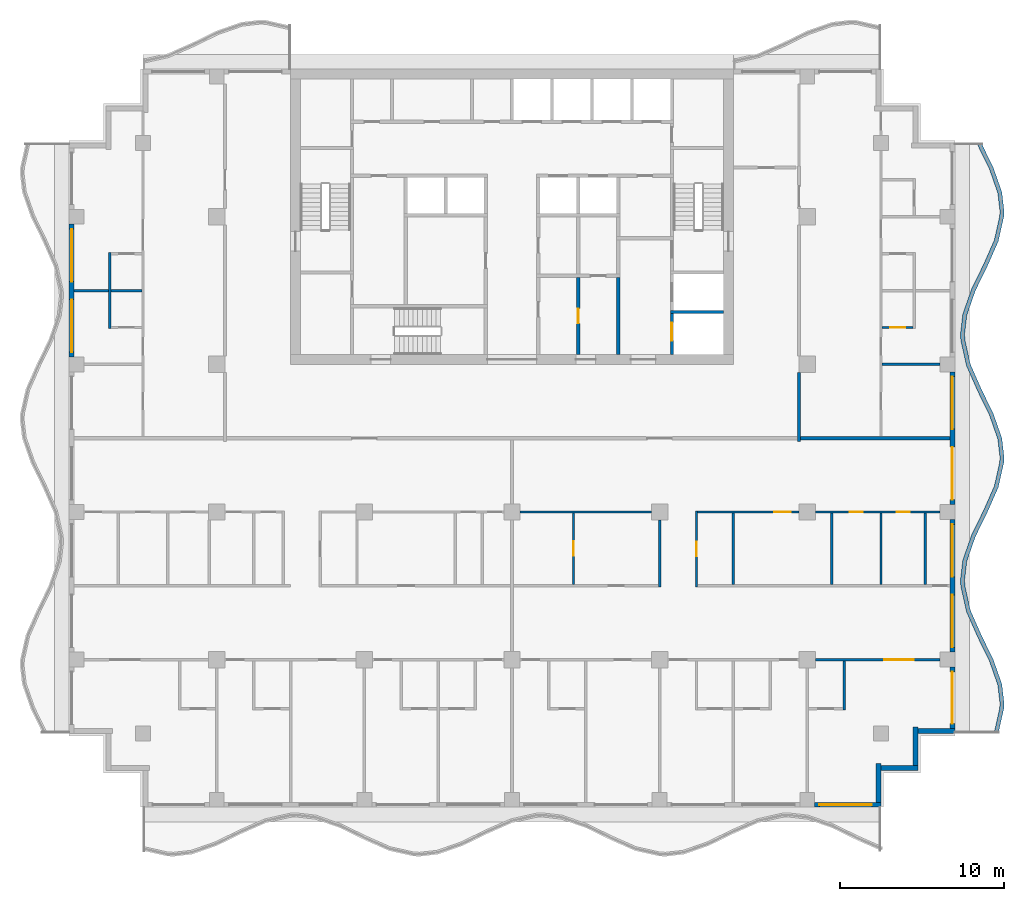
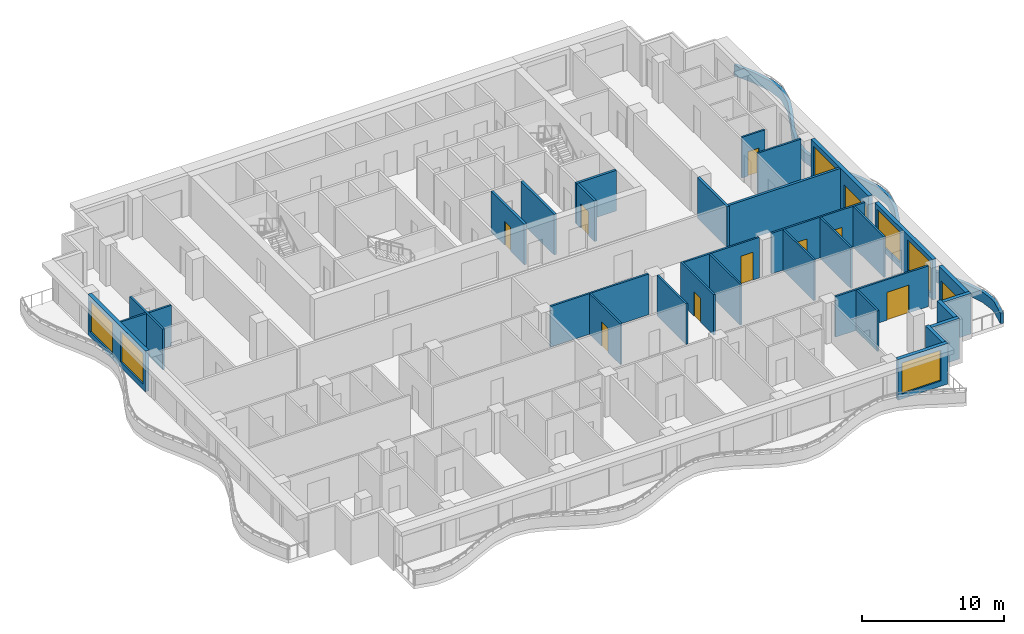
# One storey, part 4 of 11: 33 walls, 11 doors, 6 windows, 17 openings.
"""IFC4 building model written with IfcOpenShell, lengths in metres."""

from ifc_helpers import new_model, si_unit, direction, frame, frame_2d, origin, place, context, subcontext, project, spatial, polyline, rectangle, outline, extrude, material, layer, layer_set, type_object, element, fill, save


model = new_model("IFC4")

# Units and contexts
model_context = context("Model", 3, precision=1e-05, world=origin(), true_north=direction((0.0, 1.0)))
body_context = subcontext(model_context, "Body", "Model", "MODEL_VIEW")
ifc_project = project(units=[si_unit("LENGTHUNIT", "METRE"), si_unit("AREAUNIT", "SQUARE_METRE"), si_unit("VOLUMEUNIT", "CUBIC_METRE"), si_unit("PLANEANGLEUNIT", "RADIAN"), si_unit("MASSUNIT", "GRAM", prefix="KILO")], contexts=[model_context])

# Site, building, storey
site_placement = place(None, origin())
site = spatial("IfcSite", under=ifc_project, at=site_placement, CompositionType="ELEMENT")
building_placement = place(site_placement, origin())
building = spatial("IfcBuilding", under=site, at=building_placement, Name="Orbiselva Terraces", CompositionType="ELEMENT")
storey_placement = place(building_placement, frame((0.0, 0.0, 246.4)))
storey = spatial("IfcBuildingStorey", under=building, at=storey_placement, Name="L62", CompositionType="ELEMENT", Elevation=246.4)

# Wall, opening, door
ifc_material_1 = material(Name="Masonry blockwork", Category="masonry")
ifc_layer_1 = layer(ifc_material_1, 0.2)
ifc_layer_set_1 = layer_set([ifc_layer_1], Name="Masonry blockwork")
wall_type_1 = type_object("IfcWallType", Name="CORE-WALL-PARTITION-200", PredefinedType="PARTITIONING", material=ifc_layer_set_1)
wall_1_placement = place(storey_placement, frame((4.0375, 9.8, 0.0), z_axis=(0.0, 0.0, 1.0), x_axis=(0.0, -1.0, 0.0)))
wall_1 = element("IfcWall", 1, at=wall_1_placement, inside=storey, type_object=wall_type_1, Name="L62 core wall 29", PredefinedType="PARTITIONING", context=body_context, shape_type="SweptSolid", body=[
    extrude(rectangle(XDim=4.7, YDim=0.2, at=frame_2d((2.35, 0.0))), origin(), (0.0, 0.0, 1.0), 3.5),
])
opening_1_placement = place(wall_1_placement, frame((1.9, 0.0, 0.0)))
opening_1 = element("IfcOpeningElement", 2, at=opening_1_placement, cuts=wall_1, Name="Opening DR900", PredefinedType="OPENING", context=body_context, shape_type="SweptSolid", body=[
    extrude(rectangle(XDim=0.9, YDim=2.1, at=frame_2d((0.45, 1.05))), frame((0.0, 0.11, 0.0), z_axis=(0.0, -1.0, 0.0), x_axis=(1.0, 0.0, 0.0)), (0.0, 0.0, 1.0), 0.22),
])
ifc_material_2 = material(Name="Steel fire door", Category="steel")
door_type_1 = type_object("IfcDoorType", Name="ROOM DOOR 900", OperationType="NOTDEFINED", PredefinedType="DOOR", material=ifc_material_2)
door_1_placement = place(opening_1_placement, origin())
door_1 = element("IfcDoor", 3, at=door_1_placement, inside=storey, type_object=door_type_1, Name="L62 SPARE PARTS STORE door", OperationType="SINGLE_SWING_LEFT", OverallHeight=2.1, OverallWidth=0.9, PredefinedType="DOOR", context=body_context, shape_type="SweptSolid", body=[
    extrude(rectangle(XDim=0.9, YDim=2.1, at=frame_2d((0.45, 1.05))), frame((0.0, 0.025, 0.0), z_axis=(0.0, -1.0, 0.0), x_axis=(1.0, 0.0, 0.0)), (0.0, 0.0, 1.0), 0.05),
])
fill(opening_1, door_1)

# Wall
ifc_material_3 = material(Name="Concrete C60/75", Category="concrete")
ifc_layer_2 = layer(ifc_material_3, 0.2)
ifc_layer_set_2 = layer_set([ifc_layer_2], Name="Concrete C60/75")
wall_type_2 = type_object("IfcWallType", Name="CORE-WALL-SHEAR-200", PredefinedType="SHEAR", material=ifc_layer_set_2)
wall_2_placement = place(storey_placement, frame((6.475, 5.1, 0.0), z_axis=(0.0, 0.0, 1.0), x_axis=(0.0, 1.0, 0.0)))
element("IfcWall", 4, at=wall_2_placement, inside=storey, type_object=wall_type_2, Name="L62 core wall 33", PredefinedType="SHEAR", context=body_context, shape_type="SweptSolid", body=[
    extrude(rectangle(XDim=4.7, YDim=0.2, at=frame_2d((2.35, 0.0))), origin(), (0.0, 0.0, 1.0), 3.5),
])

# Wall, opening, door
wall_3_placement = place(storey_placement, frame((9.75, 5.1, 0.0), z_axis=(0.0, 0.0, 1.0), x_axis=(0.0, 1.0, 0.0)))
wall_3 = element("IfcWall", 5, at=wall_3_placement, inside=storey, type_object=wall_type_2, Name="L62 core wall 39", PredefinedType="SHEAR", context=body_context, shape_type="SweptSolid", body=[
    extrude(rectangle(XDim=2.5, YDim=0.2, at=frame_2d((1.25, 0.0))), origin(), (0.0, 0.0, 1.0), 3.5),
])
opening_2_placement = place(wall_3_placement, frame((0.85, 0.0, 0.0)))
opening_2 = element("IfcOpeningElement", 6, at=opening_2_placement, cuts=wall_3, Name="Opening LD-FF1", PredefinedType="OPENING", context=body_context, shape_type="SweptSolid", body=[
    extrude(rectangle(XDim=1.1, YDim=2.1, at=frame_2d((0.55, 1.05))), frame((0.0, 0.11, 0.0), z_axis=(0.0, -1.0, 0.0), x_axis=(1.0, 0.0, 0.0)), (0.0, 0.0, 1.0), 0.22),
])
ifc_material_4 = material(Name="Stainless steel landing door", Category="steel")
door_type_2 = type_object("IfcDoorType", Name="LANDING DOOR 1100", OperationType="SLIDING_TO_LEFT", PredefinedType="DOOR", material=ifc_material_4)
door_2_placement = place(opening_2_placement, origin())
door_2 = element("IfcDoor", 7, at=door_2_placement, inside=storey, type_object=door_type_2, Name="L62 landing door FF1", OperationType="SLIDING_TO_RIGHT", OverallHeight=2.1, OverallWidth=1.1, PredefinedType="DOOR", context=body_context, shape_type="SweptSolid", body=[
    extrude(rectangle(XDim=1.1, YDim=2.1, at=frame_2d((0.55, 1.05))), frame((0.0, 0.025, 0.0), z_axis=(0.0, -1.0, 0.0), x_axis=(1.0, 0.0, 0.0)), (0.0, 0.0, 1.0), 0.05),
])
fill(opening_2, door_2)

# Walls
wall_4_placement = place(storey_placement, frame((9.65, 7.7, 0.0), z_axis=(0.0, 0.0, 1.0), x_axis=(1.0, 0.0, 0.0)))
element("IfcWall", 8, at=wall_4_placement, inside=storey, type_object=wall_type_2, Name="L62 core wall 40", PredefinedType="SHEAR", context=body_context, shape_type="SweptSolid", body=[
    extrude(rectangle(XDim=3.25, YDim=0.2, at=frame_2d((1.625, 0.0))), origin(), (0.0, 0.0, 1.0), 3.5),
])
ifc_material_5 = material(Name="Concrete C40/50", Category="concrete")
ifc_layer_3 = layer(ifc_material_5, 0.25)
ifc_layer_set_3 = layer_set([ifc_layer_3], Name="Concrete C40/50")
wall_type_3 = type_object("IfcWallType", Name="ENV-PLANTER-250x900", PredefinedType="USERDEFINED", material=ifc_layer_set_3)
wall_5_placement = place(storey_placement, origin())
element("IfcWall", 9, at=wall_5_placement, inside=storey, type_object=wall_type_3, Name="Balcony planter L62 E", ObjectType="PLANTER", PredefinedType="USERDEFINED", context=body_context, shape_type="SweptSolid", body=[
    extrude(outline(polyline([(29.648528, -18.0), (29.985226, -16.5), (30.0, -16.125), (29.869208, -15.0), (29.344789, -13.5), (28.612279, -12.0), (27.951472, -10.5), (27.614774, -9.0), (27.6, -8.625), (27.730792, -7.5), (28.255211, -6.0), (28.987721, -4.5), (29.648528, -3.0), (29.985226, -1.5), (30.0, -1.125), (29.869208, 0.0), (29.344789, 1.5), (28.612279, 3.0), (27.951472, 4.5), (27.614774, 6.0), (27.6, 6.375), (27.730792, 7.5), (28.255211, 9.0), (28.987721, 10.5), (29.648528, 12.0), (29.985226, 13.5), (30.0, 13.875), (29.869208, 15.0), (29.344789, 16.5), (28.612279, 18.0), (28.387634, 17.890297), (29.113667, 16.40356), (29.624078, 14.943629), (29.749429, 13.865428), (29.736315, 13.532565), (29.40993, 12.078508), (28.760919, 10.605286), (28.024089, 9.09644), (27.485662, 7.556371), (27.349429, 6.384572), (27.365863, 5.967435), (27.712874, 4.421492), (28.385477, 2.894714), (29.113667, 1.40356), (29.624078, -0.056371), (29.749429, -1.134572), (29.736315, -1.467435), (29.40993, -2.921492), (28.760919, -4.394714), (28.024089, -5.90356), (27.485662, -7.443629), (27.349429, -8.615428), (27.365863, -9.032565), (27.712874, -10.578508), (28.385477, -12.105286), (29.113667, -13.59644), (29.624078, -15.056371), (29.749429, -16.134572), (29.736315, -16.467435), (29.404598, -17.945246), (29.648528, -18.0)])), origin(), (0.0, 0.0, 1.0), 0.9),
])

# Wall, opening, window
ifc_material_6 = material(Name="Terracotta cladding on masonry backing", Category="masonry")
ifc_layer_4 = layer(ifc_material_6, 0.3)
ifc_layer_set_4 = layer_set([ifc_layer_4], Name="Terracotta cladding on masonry backing")
wall_type_4 = type_object("IfcWallType", Name="ENV-WALL-TERRACOTTA-300", PredefinedType="SOLIDWALL", material=ifc_layer_set_4)
wall_6_placement = place(storey_placement, frame((22.5, -22.35, 0.0), z_axis=(0.0, 0.0, 1.0), x_axis=(-1.0, 0.0, 0.0)))
wall_6 = element("IfcWall", 10, at=wall_6_placement, inside=storey, type_object=wall_type_4, Name="Facade wall L62 S", PredefinedType="SOLIDWALL", context=body_context, shape_type="SweptSolid", body=[
    extrude(rectangle(XDim=4.05, YDim=0.3, at=frame_2d((2.025, 0.0))), origin(), (0.0, 0.0, 1.0), 3.5),
])
opening_3_placement = place(wall_6_placement, frame((0.55, 0.0, 0.45)))
opening_3 = element("IfcOpeningElement", 11, at=opening_3_placement, cuts=wall_6, Name="Opening WN17", PredefinedType="OPENING", context=body_context, shape_type="SweptSolid", body=[
    extrude(rectangle(XDim=3.2, YDim=2.65, at=frame_2d((1.6, 1.325))), frame((0.0, 0.16, 0.0), z_axis=(0.0, -1.0, 0.0), x_axis=(1.0, 0.0, 0.0)), (0.0, 0.0, 1.0), 0.32),
])
ifc_material_7 = material(Name="Clear low-e glazing in aluminium frame", Category="aluminium")
window_type = type_object("IfcWindowType", Name="WINDOW 3200 X 2650 S450", PartitioningType="TRIPLE_PANEL_VERTICAL", PredefinedType="WINDOW", material=ifc_material_7)
window_1_placement = place(opening_3_placement, origin())
window_1 = element("IfcWindow", 12, at=window_1_placement, inside=storey, type_object=window_type, Name="Window L62 S", OverallHeight=2.65, OverallWidth=3.2, PartitioningType="SINGLE_PANEL", PredefinedType="WINDOW", context=body_context, shape_type="SweptSolid", body=[
    extrude(rectangle(XDim=3.2, YDim=2.65, at=frame_2d((1.6, 1.325))), frame((0.0, 0.03, 0.0), z_axis=(0.0, -1.0, 0.0), x_axis=(1.0, 0.0, 0.0)), (0.0, 0.0, 1.0), 0.06),
])
fill(opening_3, window_1)

# Walls
wall_7_placement = place(storey_placement, frame((22.35, -19.85, 0.0), z_axis=(0.0, 0.0, 1.0), x_axis=(0.0, -1.0, 0.0)))
element("IfcWall", 13, at=wall_7_placement, inside=storey, type_object=wall_type_4, Name="Facade wall L62 STEP", PredefinedType="SOLIDWALL", context=body_context, shape_type="SweptSolid", body=[
    extrude(rectangle(XDim=2.35, YDim=0.3, at=frame_2d((1.175, 0.0))), origin(), (0.0, 0.0, 1.0), 3.5),
])
wall_8_placement = place(storey_placement, frame((24.75, -20.1, 0.0), z_axis=(0.0, 0.0, 1.0), x_axis=(-1.0, 0.0, 0.0)))
element("IfcWall", 14, at=wall_8_placement, inside=storey, type_object=wall_type_4, Name="Facade wall L62 STEP", PredefinedType="SOLIDWALL", context=body_context, shape_type="SweptSolid", body=[
    extrude(rectangle(XDim=2.25, YDim=0.3, at=frame_2d((1.125, 0.0))), origin(), (0.0, 0.0, 1.0), 3.5),
])
wall_9_placement = place(storey_placement, frame((24.6, -17.6, 0.0), z_axis=(0.0, 0.0, 1.0), x_axis=(0.0, -1.0, 0.0)))
element("IfcWall", 15, at=wall_9_placement, inside=storey, type_object=wall_type_4, Name="Facade wall L62 STEP", PredefinedType="SOLIDWALL", context=body_context, shape_type="SweptSolid", body=[
    extrude(rectangle(XDim=2.35, YDim=0.3, at=frame_2d((1.175, 0.0))), origin(), (0.0, 0.0, 1.0), 3.5),
])
wall_10_placement = place(storey_placement, frame((27.0, -17.85, 0.0), z_axis=(0.0, 0.0, 1.0), x_axis=(-1.0, 0.0, 0.0)))
element("IfcWall", 16, at=wall_10_placement, inside=storey, type_object=wall_type_4, Name="Facade wall L62 STEP", PredefinedType="SOLIDWALL", context=body_context, shape_type="SweptSolid", body=[
    extrude(rectangle(XDim=2.25, YDim=0.3, at=frame_2d((1.125, 0.0))), origin(), (0.0, 0.0, 1.0), 3.5),
])

# Wall, opening, door
wall_11_placement = place(storey_placement, frame((26.85, -13.95, 0.0), z_axis=(0.0, 0.0, 1.0), x_axis=(0.0, -1.0, 0.0)))
wall_11 = element("IfcWall", 17, at=wall_11_placement, inside=storey, type_object=wall_type_4, Name="Facade wall L62 E", PredefinedType="SOLIDWALL", context=body_context, shape_type="SweptSolid", body=[
    extrude(rectangle(XDim=3.75, YDim=0.3, at=frame_2d((1.875, 0.0))), origin(), (0.0, 0.0, 1.0), 3.5),
])
opening_4_placement = place(wall_11_placement, frame((0.3, 0.0, 0.0)))
opening_4 = element("IfcOpeningElement", 18, at=opening_4_placement, cuts=wall_11, Name="Opening Z5-A-E14", PredefinedType="OPENING", context=body_context, shape_type="SweptSolid", body=[
    extrude(rectangle(XDim=3.15, YDim=2.4, at=frame_2d((1.575, 1.2))), frame((0.0, 0.16, 0.0), z_axis=(0.0, -1.0, 0.0), x_axis=(1.0, 0.0, 0.0)), (0.0, 0.0, 1.0), 0.32),
])
door_type_3 = type_object("IfcDoorType", Name="BALCONY DOOR 3150 X 2400", OperationType="DOUBLE_DOOR_SLIDING", PredefinedType="DOOR", material=ifc_material_7)
door_3_placement = place(opening_4_placement, origin())
door_3 = element("IfcDoor", 19, at=door_3_placement, inside=storey, type_object=door_type_3, Name="Z5-A-E14", OperationType="SINGLE_SWING_LEFT", OverallHeight=2.4, OverallWidth=3.15, PredefinedType="DOOR", context=body_context, shape_type="SweptSolid", body=[
    extrude(rectangle(XDim=3.15, YDim=2.4, at=frame_2d((1.575, 1.2))), frame((0.0, 0.025, 0.0), z_axis=(0.0, -1.0, 0.0), x_axis=(1.0, 0.0, 0.0)), (0.0, 0.0, 1.0), 0.05),
])
fill(opening_4, door_3)

# Wall, openings, windows
wall_12_placement = place(storey_placement, frame((26.85, -4.95, 0.0), z_axis=(0.0, 0.0, 1.0), x_axis=(0.0, -1.0, 0.0)))
wall_12 = element("IfcWall", 20, at=wall_12_placement, inside=storey, type_object=wall_type_4, Name="Facade wall L62 E", PredefinedType="SOLIDWALL", context=body_context, shape_type="SweptSolid", body=[
    extrude(rectangle(XDim=8.1, YDim=0.3, at=frame_2d((4.05, 0.0))), origin(), (0.0, 0.0, 1.0), 3.5),
])
opening_5_placement = place(wall_12_placement, frame((4.6, 0.0, 0.45)))
opening_5 = element("IfcOpeningElement", 21, at=opening_5_placement, cuts=wall_12, Name="Opening WN17", PredefinedType="OPENING", context=body_context, shape_type="SweptSolid", body=[
    extrude(rectangle(XDim=3.2, YDim=2.65, at=frame_2d((1.6, 1.325))), frame((0.0, 0.16, 0.0), z_axis=(0.0, -1.0, 0.0), x_axis=(1.0, 0.0, 0.0)), (0.0, 0.0, 1.0), 0.32),
])
opening_6_placement = place(wall_12_placement, frame((0.3, 0.0, 0.45)))
opening_6 = element("IfcOpeningElement", 22, at=opening_6_placement, cuts=wall_12, Name="Opening WN17", PredefinedType="OPENING", context=body_context, shape_type="SweptSolid", body=[
    extrude(rectangle(XDim=3.2, YDim=2.65, at=frame_2d((1.6, 1.325))), frame((0.0, 0.16, 0.0), z_axis=(0.0, -1.0, 0.0), x_axis=(1.0, 0.0, 0.0)), (0.0, 0.0, 1.0), 0.32),
])
window_2_placement = place(opening_5_placement, origin())
window_2 = element("IfcWindow", 23, at=window_2_placement, inside=storey, type_object=window_type, Name="Window L62 E", OverallHeight=2.65, OverallWidth=3.2, PartitioningType="SINGLE_PANEL", PredefinedType="WINDOW", context=body_context, shape_type="SweptSolid", body=[
    extrude(rectangle(XDim=3.2, YDim=2.65, at=frame_2d((1.6, 1.325))), frame((0.0, 0.03, 0.0), z_axis=(0.0, -1.0, 0.0), x_axis=(1.0, 0.0, 0.0)), (0.0, 0.0, 1.0), 0.06),
])
fill(opening_5, window_2)
window_3_placement = place(opening_6_placement, origin())
window_3 = element("IfcWindow", 24, at=window_3_placement, inside=storey, type_object=window_type, Name="Window L62 E", OverallHeight=2.65, OverallWidth=3.2, PartitioningType="SINGLE_PANEL", PredefinedType="WINDOW", context=body_context, shape_type="SweptSolid", body=[
    extrude(rectangle(XDim=3.2, YDim=2.65, at=frame_2d((1.6, 1.325))), frame((0.0, 0.03, 0.0), z_axis=(0.0, -1.0, 0.0), x_axis=(1.0, 0.0, 0.0)), (0.0, 0.0, 1.0), 0.06),
])
fill(opening_6, window_3)

# Wall, openings, door, window
wall_13_placement = place(storey_placement, frame((26.85, 4.05, 0.0), z_axis=(0.0, 0.0, 1.0), x_axis=(0.0, -1.0, 0.0)))
wall_13 = element("IfcWall", 25, at=wall_13_placement, inside=storey, type_object=wall_type_4, Name="Facade wall L62 E", PredefinedType="SOLIDWALL", context=body_context, shape_type="SweptSolid", body=[
    extrude(rectangle(XDim=8.1, YDim=0.3, at=frame_2d((4.05, 0.0))), origin(), (0.0, 0.0, 1.0), 3.5),
])
opening_7_placement = place(wall_13_placement, frame((4.6, 0.0, 0.0)))
opening_7 = element("IfcOpeningElement", 26, at=opening_7_placement, cuts=wall_13, Name="Opening Z5-A-E20", PredefinedType="OPENING", context=body_context, shape_type="SweptSolid", body=[
    extrude(rectangle(XDim=3.2, YDim=2.4, at=frame_2d((1.6, 1.2))), frame((0.0, 0.16, 0.0), z_axis=(0.0, -1.0, 0.0), x_axis=(1.0, 0.0, 0.0)), (0.0, 0.0, 1.0), 0.32),
])
opening_8_placement = place(wall_13_placement, frame((0.3, 0.0, 0.45)))
opening_8 = element("IfcOpeningElement", 27, at=opening_8_placement, cuts=wall_13, Name="Opening WN17", PredefinedType="OPENING", context=body_context, shape_type="SweptSolid", body=[
    extrude(rectangle(XDim=3.2, YDim=2.65, at=frame_2d((1.6, 1.325))), frame((0.0, 0.16, 0.0), z_axis=(0.0, -1.0, 0.0), x_axis=(1.0, 0.0, 0.0)), (0.0, 0.0, 1.0), 0.32),
])
door_type_4 = type_object("IfcDoorType", Name="BALCONY DOOR 3200 X 2400", OperationType="DOUBLE_DOOR_SLIDING", PredefinedType="DOOR", material=ifc_material_7)
door_4_placement = place(opening_7_placement, origin())
door_4 = element("IfcDoor", 28, at=door_4_placement, inside=storey, type_object=door_type_4, Name="Z5-A-E20", OperationType="SINGLE_SWING_LEFT", OverallHeight=2.4, OverallWidth=3.2, PredefinedType="DOOR", context=body_context, shape_type="SweptSolid", body=[
    extrude(rectangle(XDim=3.2, YDim=2.4, at=frame_2d((1.6, 1.2))), frame((0.0, 0.025, 0.0), z_axis=(0.0, -1.0, 0.0), x_axis=(1.0, 0.0, 0.0)), (0.0, 0.0, 1.0), 0.05),
])
fill(opening_7, door_4)
window_4_placement = place(opening_8_placement, origin())
window_4 = element("IfcWindow", 29, at=window_4_placement, inside=storey, type_object=window_type, Name="Window L62 E", OverallHeight=2.65, OverallWidth=3.2, PartitioningType="SINGLE_PANEL", PredefinedType="WINDOW", context=body_context, shape_type="SweptSolid", body=[
    extrude(rectangle(XDim=3.2, YDim=2.65, at=frame_2d((1.6, 1.325))), frame((0.0, 0.03, 0.0), z_axis=(0.0, -1.0, 0.0), x_axis=(1.0, 0.0, 0.0)), (0.0, 0.0, 1.0), 0.06),
])
fill(opening_8, window_4)

# Wall, openings, windows
wall_14_placement = place(storey_placement, frame((-26.85, 4.95, 0.0), z_axis=(0.0, 0.0, 1.0), x_axis=(0.0, 1.0, 0.0)))
wall_14 = element("IfcWall", 30, at=wall_14_placement, inside=storey, type_object=wall_type_4, Name="Facade wall L62 W", PredefinedType="SOLIDWALL", context=body_context, shape_type="SweptSolid", body=[
    extrude(rectangle(XDim=8.1, YDim=0.3, at=frame_2d((4.05, 0.0))), origin(), (0.0, 0.0, 1.0), 3.5),
])
opening_9_placement = place(wall_14_placement, frame((4.6, 0.0, 0.45)))
opening_9 = element("IfcOpeningElement", 31, at=opening_9_placement, cuts=wall_14, Name="Opening WN17", PredefinedType="OPENING", context=body_context, shape_type="SweptSolid", body=[
    extrude(rectangle(XDim=3.2, YDim=2.65, at=frame_2d((1.6, 1.325))), frame((0.0, 0.16, 0.0), z_axis=(0.0, -1.0, 0.0), x_axis=(1.0, 0.0, 0.0)), (0.0, 0.0, 1.0), 0.32),
])
opening_10_placement = place(wall_14_placement, frame((0.3, 0.0, 0.45)))
opening_10 = element("IfcOpeningElement", 32, at=opening_10_placement, cuts=wall_14, Name="Opening WN17", PredefinedType="OPENING", context=body_context, shape_type="SweptSolid", body=[
    extrude(rectangle(XDim=3.2, YDim=2.65, at=frame_2d((1.6, 1.325))), frame((0.0, 0.16, 0.0), z_axis=(0.0, -1.0, 0.0), x_axis=(1.0, 0.0, 0.0)), (0.0, 0.0, 1.0), 0.32),
])
window_5_placement = place(opening_9_placement, origin())
window_5 = element("IfcWindow", 33, at=window_5_placement, inside=storey, type_object=window_type, Name="Window L62 W", OverallHeight=2.65, OverallWidth=3.2, PartitioningType="SINGLE_PANEL", PredefinedType="WINDOW", context=body_context, shape_type="SweptSolid", body=[
    extrude(rectangle(XDim=3.2, YDim=2.65, at=frame_2d((1.6, 1.325))), frame((0.0, 0.03, 0.0), z_axis=(0.0, -1.0, 0.0), x_axis=(1.0, 0.0, 0.0)), (0.0, 0.0, 1.0), 0.06),
])
fill(opening_9, window_5)
window_6_placement = place(opening_10_placement, origin())
window_6 = element("IfcWindow", 34, at=window_6_placement, inside=storey, type_object=window_type, Name="Window L62 W", OverallHeight=2.65, OverallWidth=3.2, PartitioningType="SINGLE_PANEL", PredefinedType="WINDOW", context=body_context, shape_type="SweptSolid", body=[
    extrude(rectangle(XDim=3.2, YDim=2.65, at=frame_2d((1.6, 1.325))), frame((0.0, 0.03, 0.0), z_axis=(0.0, -1.0, 0.0), x_axis=(1.0, 0.0, 0.0)), (0.0, 0.0, 1.0), 0.06),
])
fill(opening_10, window_6)

# Wall
ifc_material_8 = material(Name="Plasterboard on steel stud partition", Category="steel")
ifc_layer_5 = layer(ifc_material_8, 0.2)
ifc_layer_set_5 = layer_set([ifc_layer_5], Name="Plasterboard on steel stud partition")
wall_type_5 = type_object("IfcWallType", Name="UNIT-ENTRANCE-WALL-200", PredefinedType="PARTITIONING", material=ifc_layer_set_5)
wall_15_placement = place(storey_placement, frame((17.5, -0.2, 0.0), z_axis=(0.0, 0.0, 1.0), x_axis=(0.0, 1.0, 0.0)))
element("IfcWall", 35, at=wall_15_placement, inside=storey, type_object=wall_type_5, Name="PARTITION L62-078", PredefinedType="PARTITIONING", context=body_context, shape_type="SweptSolid", body=[
    extrude(rectangle(XDim=4.2, YDim=0.2, at=frame_2d((2.1, 0.0))), origin(), (0.0, 0.0, 1.0), 3.5),
])

# Wall, opening, door
ifc_layer_6 = layer(ifc_material_8, 0.15)
ifc_layer_set_6 = layer_set([ifc_layer_6], Name="Plasterboard on steel stud partition")
wall_type_6 = type_object("IfcWallType", Name="UNIT-PARTITION-150", PredefinedType="PARTITIONING", material=ifc_layer_set_6)
wall_16_placement = place(storey_placement, frame((26.1, -13.5, 0.0), z_axis=(0.0, 0.0, 1.0), x_axis=(-1.0, 0.0, 0.0)))
wall_16 = element("IfcWall", 36, at=wall_16_placement, inside=storey, type_object=wall_type_6, Name="PARTITION L62-014", PredefinedType="PARTITIONING", context=body_context, shape_type="SweptSolid", body=[
    extrude(rectangle(XDim=7.6, YDim=0.15, at=frame_2d((3.8, 0.0))), origin(), (0.0, 0.0, 1.0), 3.5),
])
opening_11_placement = place(wall_16_placement, frame((1.6, 0.0, 0.0)))
opening_11 = element("IfcOpeningElement", 37, at=opening_11_placement, cuts=wall_16, Name="Opening Z5-A-43", PredefinedType="OPENING", context=body_context, shape_type="SweptSolid", body=[
    extrude(rectangle(XDim=1.8, YDim=2.4, at=frame_2d((0.9, 1.2))), frame((0.0, 0.085, 0.0), z_axis=(0.0, -1.0, 0.0), x_axis=(1.0, 0.0, 0.0)), (0.0, 0.0, 1.0), 0.17),
])
ifc_material_9 = material(Name="Painted timber door leaf", Category="wood")
door_type_5 = type_object("IfcDoorType", Name="DOUBLE DOOR 1800", OperationType="NOTDEFINED", PredefinedType="DOOR", material=ifc_material_9)
door_5_placement = place(opening_11_placement, origin())
door_5 = element("IfcDoor", 38, at=door_5_placement, inside=storey, type_object=door_type_5, Name="Z5-A-43", OperationType="DOUBLE_DOOR_SINGLE_SWING", OverallHeight=2.4, OverallWidth=1.8, PredefinedType="DOOR", context=body_context, shape_type="SweptSolid", body=[
    extrude(rectangle(XDim=1.8, YDim=2.4, at=frame_2d((0.9, 1.2))), frame((0.0, 0.025, 0.0), z_axis=(0.0, -1.0, 0.0), x_axis=(1.0, 0.0, 0.0)), (0.0, 0.0, 1.0), 0.05),
])
fill(opening_11, door_5)

# Wall
wall_17_placement = place(storey_placement, frame((0.5, -4.5, 0.0), z_axis=(0.0, 0.0, 1.0), x_axis=(1.0, 0.0, 0.0)))
element("IfcWall", 39, at=wall_17_placement, inside=storey, type_object=wall_type_6, Name="PARTITION L62-023", PredefinedType="PARTITIONING", context=body_context, shape_type="SweptSolid", body=[
    extrude(rectangle(XDim=8.0, YDim=0.15, at=frame_2d((4.0, 0.0))), origin(), (0.0, 0.0, 1.0), 3.5),
])

# Wall, opening, door
wall_18_placement = place(storey_placement, frame((17.5, -4.5, 0.0), z_axis=(0.0, 0.0, 1.0), x_axis=(-1.0, 0.0, 0.0)))
wall_18 = element("IfcWall", 40, at=wall_18_placement, inside=storey, type_object=wall_type_6, Name="PARTITION L62-024", PredefinedType="PARTITIONING", context=body_context, shape_type="SweptSolid", body=[
    extrude(rectangle(XDim=6.175, YDim=0.15, at=frame_2d((3.0875, 0.0))), origin(), (0.0, 0.0, 1.0), 3.5),
])
opening_12_placement = place(wall_18_placement, frame((0.5, 0.0, 0.0)))
opening_12 = element("IfcOpeningElement", 41, at=opening_12_placement, cuts=wall_18, Name="Opening Z5-A-39", PredefinedType="OPENING", context=body_context, shape_type="SweptSolid", body=[
    extrude(rectangle(XDim=1.0, YDim=2.4, at=frame_2d((0.5, 1.2))), frame((0.0, 0.085, 0.0), z_axis=(0.0, -1.0, 0.0), x_axis=(1.0, 0.0, 0.0)), (0.0, 0.0, 1.0), 0.17),
])
door_type_6 = type_object("IfcDoorType", Name="ROOM DOOR 1000", OperationType="NOTDEFINED", PredefinedType="DOOR", material=ifc_material_9)
door_6_placement = place(opening_12_placement, origin())
door_6 = element("IfcDoor", 42, at=door_6_placement, inside=storey, type_object=door_type_6, Name="Z5-A-39", OperationType="SINGLE_SWING_LEFT", OverallHeight=2.4, OverallWidth=1.0, PredefinedType="DOOR", context=body_context, shape_type="SweptSolid", body=[
    extrude(rectangle(XDim=1.0, YDim=2.4, at=frame_2d((0.5, 1.2))), frame((0.0, 0.025, 0.0), z_axis=(0.0, -1.0, 0.0), x_axis=(1.0, 0.0, 0.0)), (0.0, 0.0, 1.0), 0.05),
])
fill(opening_12, door_6)

# Wall, openings, doors
wall_19_placement = place(storey_placement, frame((26.1, -4.5, 0.0), z_axis=(0.0, 0.0, 1.0), x_axis=(-1.0, 0.0, 0.0)))
wall_19 = element("IfcWall", 43, at=wall_19_placement, inside=storey, type_object=wall_type_6, Name="PARTITION L62-025", PredefinedType="PARTITIONING", context=body_context, shape_type="SweptSolid", body=[
    extrude(rectangle(XDim=7.6, YDim=0.15, at=frame_2d((3.8, 0.0))), origin(), (0.0, 0.0, 1.0), 3.5),
])
opening_13_placement = place(wall_19_placement, frame((1.85, 0.0, 0.0)))
opening_13 = element("IfcOpeningElement", 44, at=opening_13_placement, cuts=wall_19, Name="Opening Z5-A-37", PredefinedType="OPENING", context=body_context, shape_type="SweptSolid", body=[
    extrude(rectangle(XDim=0.8, YDim=2.0, at=frame_2d((0.4, 1.0))), frame((0.0, 0.085, 0.0), z_axis=(0.0, -1.0, 0.0), x_axis=(1.0, 0.0, 0.0)), (0.0, 0.0, 1.0), 0.17),
])
opening_14_placement = place(wall_19_placement, frame((4.7, 0.0, 0.0)))
opening_14 = element("IfcOpeningElement", 45, at=opening_14_placement, cuts=wall_19, Name="Opening Z5-A-38", PredefinedType="OPENING", context=body_context, shape_type="SweptSolid", body=[
    extrude(rectangle(XDim=0.8, YDim=2.0, at=frame_2d((0.4, 1.0))), frame((0.0, 0.085, 0.0), z_axis=(0.0, -1.0, 0.0), x_axis=(1.0, 0.0, 0.0)), (0.0, 0.0, 1.0), 0.17),
])
door_type_7 = type_object("IfcDoorType", Name="STORE DOOR 800", OperationType="NOTDEFINED", PredefinedType="DOOR", material=ifc_material_9)
door_7_placement = place(opening_13_placement, origin())
door_7 = element("IfcDoor", 46, at=door_7_placement, inside=storey, type_object=door_type_7, Name="Z5-A-37", OperationType="SINGLE_SWING_LEFT", OverallHeight=2.0, OverallWidth=0.8, PredefinedType="DOOR", context=body_context, shape_type="SweptSolid", body=[
    extrude(rectangle(XDim=0.8, YDim=2.0, at=frame_2d((0.4, 1.0))), frame((0.0, 0.025, 0.0), z_axis=(0.0, -1.0, 0.0), x_axis=(1.0, 0.0, 0.0)), (0.0, 0.0, 1.0), 0.05),
])
fill(opening_13, door_7)
door_8_placement = place(opening_14_placement, origin())
door_8 = element("IfcDoor", 47, at=door_8_placement, inside=storey, type_object=door_type_7, Name="Z5-A-38", OperationType="SINGLE_SWING_RIGHT", OverallHeight=2.0, OverallWidth=0.8, PredefinedType="DOOR", context=body_context, shape_type="SweptSolid", body=[
    extrude(rectangle(XDim=0.8, YDim=2.0, at=frame_2d((0.4, 1.0))), frame((0.0, 0.025, 0.0), z_axis=(0.0, -1.0, 0.0), x_axis=(1.0, 0.0, 0.0)), (0.0, 0.0, 1.0), 0.05),
])
fill(opening_14, door_8)

# Wall
wall_20_placement = place(storey_placement, frame((22.575, 4.5, 0.0), z_axis=(0.0, 0.0, 1.0), x_axis=(1.0, 0.0, 0.0)))
element("IfcWall", 48, at=wall_20_placement, inside=storey, type_object=wall_type_6, Name="PARTITION L62-030", PredefinedType="PARTITIONING", context=body_context, shape_type="SweptSolid", body=[
    extrude(rectangle(XDim=3.525, YDim=0.15, at=frame_2d((1.7625, 0.0))), origin(), (0.0, 0.0, 1.0), 3.5),
])

# Wall, opening, door
wall_21_placement = place(storey_placement, frame((22.575, 6.75, 0.0), z_axis=(0.0, 0.0, 1.0), x_axis=(1.0, 0.0, 0.0)))
wall_21 = element("IfcWall", 49, at=wall_21_placement, inside=storey, type_object=wall_type_6, Name="PARTITION L62-032", PredefinedType="PARTITIONING", context=body_context, shape_type="SweptSolid", body=[
    extrude(rectangle(XDim=1.875, YDim=0.15, at=frame_2d((0.9375, 0.0))), origin(), (0.0, 0.0, 1.0), 3.5),
])
opening_15_placement = place(wall_21_placement, frame((0.5, 0.0, 0.0)))
opening_15 = element("IfcOpeningElement", 50, at=opening_15_placement, cuts=wall_21, Name="Opening Z5-A-11", PredefinedType="OPENING", context=body_context, shape_type="SweptSolid", body=[
    extrude(rectangle(XDim=0.9, YDim=2.1, at=frame_2d((0.45, 1.05))), frame((0.0, 0.085, 0.0), z_axis=(0.0, -1.0, 0.0), x_axis=(1.0, 0.0, 0.0)), (0.0, 0.0, 1.0), 0.17),
])
door_type_8 = type_object("IfcDoorType", Name="BATH DOOR 900", OperationType="NOTDEFINED", PredefinedType="DOOR", material=ifc_material_9)
door_9_placement = place(opening_15_placement, origin())
door_9 = element("IfcDoor", 51, at=door_9_placement, inside=storey, type_object=door_type_8, Name="Z5-A-11", OperationType="SINGLE_SWING_RIGHT", OverallHeight=2.1, OverallWidth=0.9, PredefinedType="DOOR", context=body_context, shape_type="SweptSolid", body=[
    extrude(rectangle(XDim=0.9, YDim=2.1, at=frame_2d((0.45, 1.05))), frame((0.0, 0.025, 0.0), z_axis=(0.0, -1.0, 0.0), x_axis=(1.0, 0.0, 0.0)), (0.0, 0.0, 1.0), 0.05),
])
fill(opening_15, door_9)

# Walls
wall_22_placement = place(storey_placement, frame((-26.7, 9.0, 0.0), z_axis=(0.0, 0.0, 1.0), x_axis=(1.0, 0.0, 0.0)))
element("IfcWall", 52, at=wall_22_placement, inside=storey, type_object=wall_type_6, Name="PARTITION L62-033", PredefinedType="PARTITIONING", context=body_context, shape_type="SweptSolid", body=[
    extrude(rectangle(XDim=2.1, YDim=0.15, at=frame_2d((1.05, 0.0))), origin(), (0.0, 0.0, 1.0), 3.5),
])
wall_23_placement = place(storey_placement, frame((-24.45, 9.0, 0.0), z_axis=(0.0, 0.0, 1.0), x_axis=(1.0, 0.0, 0.0)))
element("IfcWall", 53, at=wall_23_placement, inside=storey, type_object=wall_type_6, Name="PARTITION L62-034", PredefinedType="PARTITIONING", context=body_context, shape_type="SweptSolid", body=[
    extrude(rectangle(XDim=1.875, YDim=0.15, at=frame_2d((0.9375, 0.0))), origin(), (0.0, 0.0, 1.0), 3.5),
])
wall_24_placement = place(storey_placement, frame((-24.525, 6.675, 0.0), z_axis=(0.0, 0.0, 1.0), x_axis=(0.0, 1.0, 0.0)))
element("IfcWall", 54, at=wall_24_placement, inside=storey, type_object=wall_type_6, Name="PARTITION L62-042", PredefinedType="PARTITIONING", context=body_context, shape_type="SweptSolid", body=[
    extrude(rectangle(XDim=4.65, YDim=0.15, at=frame_2d((2.325, 0.0))), origin(), (0.0, 0.0, 1.0), 3.5),
])

# Wall, opening, door
wall_25_placement = place(storey_placement, frame((3.75, -8.925, 0.0), z_axis=(0.0, 0.0, 1.0), x_axis=(0.0, 1.0, 0.0)))
wall_25 = element("IfcWall", 55, at=wall_25_placement, inside=storey, type_object=wall_type_6, Name="PARTITION L62-069", PredefinedType="PARTITIONING", context=body_context, shape_type="SweptSolid", body=[
    extrude(rectangle(XDim=4.35, YDim=0.15, at=frame_2d((2.175, 0.0))), origin(), (0.0, 0.0, 1.0), 3.5),
])
opening_16_placement = place(wall_25_placement, frame((1.75, 0.0, 0.0)))
opening_16 = element("IfcOpeningElement", 56, at=opening_16_placement, cuts=wall_25, Name="Opening Z5-A-42", PredefinedType="OPENING", context=body_context, shape_type="SweptSolid", body=[
    extrude(rectangle(XDim=0.9, YDim=2.1, at=frame_2d((0.45, 1.05))), frame((0.0, 0.085, 0.0), z_axis=(0.0, -1.0, 0.0), x_axis=(1.0, 0.0, 0.0)), (0.0, 0.0, 1.0), 0.17),
])
door_10_placement = place(opening_16_placement, origin())
door_10 = element("IfcDoor", 57, at=door_10_placement, inside=storey, type_object=door_type_8, Name="Z5-A-42", OperationType="SINGLE_SWING_RIGHT", OverallHeight=2.1, OverallWidth=0.9, PredefinedType="DOOR", context=body_context, shape_type="SweptSolid", body=[
    extrude(rectangle(XDim=0.9, YDim=2.1, at=frame_2d((0.45, 1.05))), frame((0.0, 0.025, 0.0), z_axis=(0.0, -1.0, 0.0), x_axis=(1.0, 0.0, 0.0)), (0.0, 0.0, 1.0), 0.05),
])
fill(opening_16, door_10)

# Wall
wall_26_placement = place(storey_placement, frame((9.0, -9.075, 0.0), z_axis=(0.0, 0.0, 1.0), x_axis=(0.0, 1.0, 0.0)))
element("IfcWall", 58, at=wall_26_placement, inside=storey, type_object=wall_type_6, Name="PARTITION L62-072", PredefinedType="PARTITIONING", context=body_context, shape_type="SweptSolid", body=[
    extrude(rectangle(XDim=4.075, YDim=0.15, at=frame_2d((2.0375, 0.0))), origin(), (0.0, 0.0, 1.0), 3.5),
])

# Wall, opening, door
wall_27_placement = place(storey_placement, frame((11.25, -4.425, 0.0), z_axis=(0.0, 0.0, 1.0), x_axis=(0.0, -1.0, 0.0)))
wall_27 = element("IfcWall", 59, at=wall_27_placement, inside=storey, type_object=wall_type_6, Name="PARTITION L62-074", PredefinedType="PARTITIONING", context=body_context, shape_type="SweptSolid", body=[
    extrude(rectangle(XDim=4.65, YDim=0.15, at=frame_2d((2.325, 0.0))), origin(), (0.0, 0.0, 1.0), 3.5),
])
opening_17_placement = place(wall_27_placement, frame((1.875, 0.0, 0.0)))
opening_17 = element("IfcOpeningElement", 60, at=opening_17_placement, cuts=wall_27, Name="Opening Z5-A-40", PredefinedType="OPENING", context=body_context, shape_type="SweptSolid", body=[
    extrude(rectangle(XDim=0.9, YDim=2.1, at=frame_2d((0.45, 1.05))), frame((0.0, 0.085, 0.0), z_axis=(0.0, -1.0, 0.0), x_axis=(1.0, 0.0, 0.0)), (0.0, 0.0, 1.0), 0.17),
])
door_11_placement = place(opening_17_placement, origin())
door_11 = element("IfcDoor", 61, at=door_11_placement, inside=storey, type_object=door_type_8, Name="Z5-A-40", OperationType="SINGLE_SWING_RIGHT", OverallHeight=2.1, OverallWidth=0.9, PredefinedType="DOOR", context=body_context, shape_type="SweptSolid", body=[
    extrude(rectangle(XDim=0.9, YDim=2.1, at=frame_2d((0.45, 1.05))), frame((0.0, 0.025, 0.0), z_axis=(0.0, -1.0, 0.0), x_axis=(1.0, 0.0, 0.0)), (0.0, 0.0, 1.0), 0.05),
])
fill(opening_17, door_11)

# Walls
for number, where, z_axis, x_axis, name in (
    (62, (13.5, -8.925, 0.0), (0.0, 0.0, 1.0), (0.0, 1.0, 0.0), "PARTITION L62-076"),
    (63, (19.5, -8.925, 0.0), (0.0, 0.0, 1.0), (0.0, 1.0, 0.0), "PARTITION L62-083"),
):
    element("IfcWall", number, at=place(storey_placement, frame(where, z_axis=z_axis, x_axis=x_axis)), inside=storey, type_object=wall_type_6, Name=name, PredefinedType="PARTITIONING", context=body_context, shape_type="SweptSolid", body=[
        extrude(rectangle(XDim=4.35, YDim=0.15, at=frame_2d((2.175, 0.0))), origin(), (0.0, 0.0, 1.0), 3.5),
    ])
wall_28_placement = place(storey_placement, frame((20.25, -16.575, 0.0), z_axis=(0.0, 0.0, 1.0), x_axis=(0.0, 1.0, 0.0)))
element("IfcWall", 64, at=wall_28_placement, inside=storey, type_object=wall_type_6, Name="PARTITION L62-084", PredefinedType="PARTITIONING", context=body_context, shape_type="SweptSolid", body=[
    extrude(rectangle(XDim=3.0, YDim=0.15, at=frame_2d((1.5, 0.0))), origin(), (0.0, 0.0, 1.0), 3.5),
])
for number, where, z_axis, x_axis, name in (
    (65, (22.5, -8.925, 0.0), (0.0, 0.0, 1.0), (0.0, 1.0, 0.0), "PARTITION L62-085"),
    (66, (25.2, -8.925, 0.0), (0.0, 0.0, 1.0), (0.0, 1.0, 0.0), "PARTITION L62-090"),
):
    element("IfcWall", number, at=place(storey_placement, frame(where, z_axis=z_axis, x_axis=x_axis)), inside=storey, type_object=wall_type_6, Name=name, PredefinedType="PARTITIONING", context=body_context, shape_type="SweptSolid", body=[
        extrude(rectangle(XDim=4.35, YDim=0.15, at=frame_2d((2.175, 0.0))), origin(), (0.0, 0.0, 1.0), 3.5),
    ])
ifc_layer_7 = layer(ifc_material_8, 0.2)
ifc_layer_set_7 = layer_set([ifc_layer_7], Name="Plasterboard on steel stud partition")
wall_type_7 = type_object("IfcWallType", Name="UNIT-PARTY-WALL-200", PredefinedType="PARTITIONING", material=ifc_layer_set_7)
wall_29_placement = place(storey_placement, frame((17.6, 0.0, 0.0), z_axis=(0.0, 0.0, 1.0), x_axis=(1.0, 0.0, 0.0)))
element("IfcWall", 67, at=wall_29_placement, inside=storey, type_object=wall_type_7, Name="PARTITION L62-028", PredefinedType="PARTITIONING", context=body_context, shape_type="SweptSolid", body=[
    extrude(rectangle(XDim=9.1, YDim=0.2, at=frame_2d((4.55, 0.0))), origin(), (0.0, 0.0, 1.0), 3.5),
])

save(model, "model.ifc")
